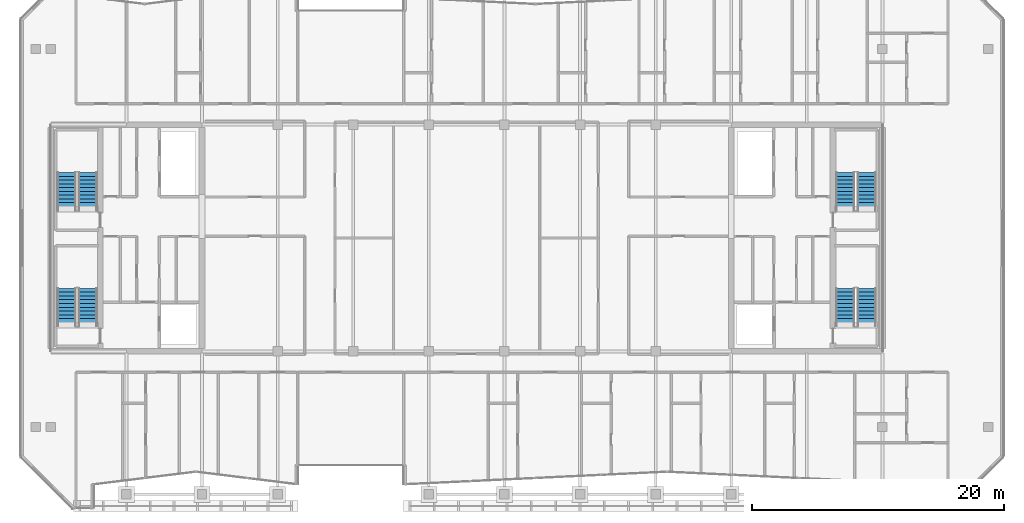
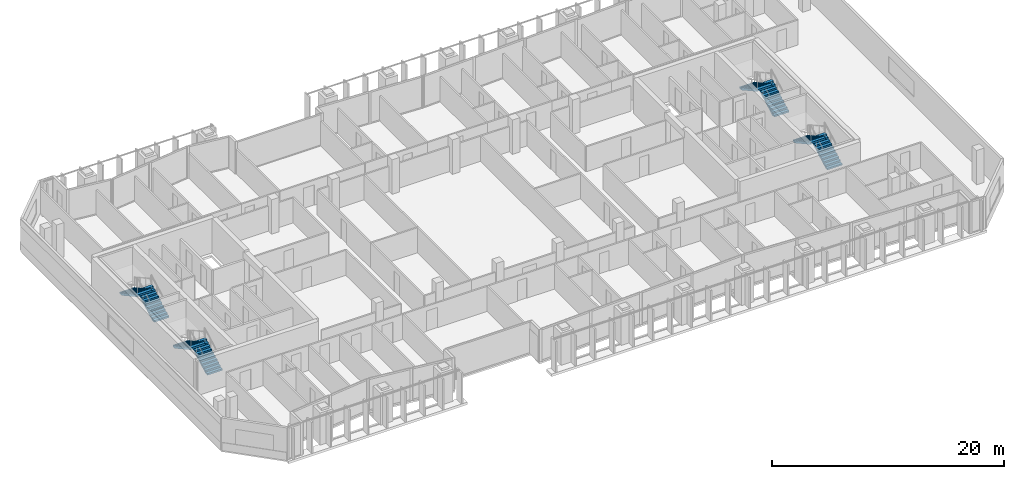
# One storey, part 27 of 32: 8 stair flights, 4 elements without a shape of their own.
"""IFC4 building model written with IfcOpenShell, lengths in metres."""

from ifc_helpers import new_model, si_unit, direction, frame, origin, place, context, subcontext, project, spatial, polyline, outline, extrude, material, type_object, element, aggregate, save


model = new_model("IFC4")

# Units and contexts
model_context = context("Model", 3, precision=1e-05, world=origin(), true_north=direction((0.0, 1.0)))
body_context = subcontext(model_context, "Body", "Model", "MODEL_VIEW")
ifc_project = project(units=[si_unit("LENGTHUNIT", "METRE"), si_unit("AREAUNIT", "SQUARE_METRE"), si_unit("VOLUMEUNIT", "CUBIC_METRE"), si_unit("PLANEANGLEUNIT", "RADIAN"), si_unit("MASSUNIT", "GRAM", prefix="KILO")], contexts=[model_context])

# Site, building, storey
site_placement = place(None, origin())
site = spatial("IfcSite", under=ifc_project, at=site_placement, CompositionType="ELEMENT")
building_placement = place(site_placement, origin())
building = spatial("IfcBuilding", under=site, at=building_placement, Name="Tanjung Sevakor Pilgrim Tower", CompositionType="ELEMENT")
storey_placement = place(building_placement, frame((0.0, 0.0, 211.860107421875)))
storey = spatial("IfcBuildingStorey", under=building, at=storey_placement, Name="L59", CompositionType="ELEMENT", Elevation=211.860107421875)

# Stair, stair flights
ifc_material_1 = material(Name="Concrete C40/50", Category="concrete")
stair_type = type_object("IfcStairType", Name="STAIR-ST-CR150", PredefinedType="HALF_TURN_STAIR", material=ifc_material_1)
stair_1_placement = place(storey_placement, origin())
stair_1 = element("IfcStair", 1, at=stair_1_placement, inside=storey, type_object=stair_type, Name="L59 West Core Exit Stair 1", PredefinedType="HALF_TURN_STAIR")
ifc_material_2 = material(Name="Concrete C40/50", Category="concrete")
stair_flight_type = type_object("IfcStairFlightType", Name="FLIGHT-ST-CR150", PredefinedType="STRAIGHT", material=ifc_material_2)
stair_flight_1_placement = place(storey_placement, frame((26.949951171875, 26.60009765625, 0.0), z_axis=(0.0, 0.0, 1.0), x_axis=(0.0, 1.0, 0.0)))
stair_flight_1 = element("IfcStairFlight", 2, at=stair_flight_1_placement, type_object=stair_flight_type, Name="TS-W1 flight 1", NumberOfRisers=11, NumberOfTreads=10, PredefinedType="STRAIGHT", RiserHeight=0.165, TreadLength=0.3, context=body_context, shape_type="SweptSolid", body=[
    extrude(outline(polyline([(0.0, 0.0), (0.0, 0.1650390625), (0.300048828125, 0.1650390625), (0.300048828125, 0.330078125), (0.60009765625, 0.330078125), (0.60009765625, 0.4951171875), (0.89990234375, 0.4951171875), (0.89990234375, 0.659912109375), (1.199951171875, 0.659912109375), (1.199951171875, 0.824951171875), (1.5, 0.824951171875), (1.5, 0.989990234375), (1.800048828125, 0.989990234375), (1.800048828125, 1.155029296875), (2.10009765625, 1.155029296875), (2.10009765625, 1.320068359375), (2.39990234375, 1.320068359375), (2.39990234375, 1.485107421875), (2.699951171875, 1.485107421875), (2.699951171875, 1.64990234375), (3.0, 1.64990234375), (3.0, 1.81494140625), (3.0, 1.467529296875), (0.331787109375, 0.0), (0.0, 0.0)])), frame((0.0, 0.75, 0.0), z_axis=(0.0, -1.0, 0.0), x_axis=(1.0, 0.0, 0.0)), (0.0, 0.0, 1.0), 1.5),
])
stair_flight_2_placement = place(storey_placement, frame((25.25, 29.60009765625, 1.81494140625), z_axis=(0.0, 0.0, 1.0), x_axis=(0.0, -1.0, 0.0)))
stair_flight_2 = element("IfcStairFlight", 3, at=stair_flight_2_placement, type_object=stair_flight_type, Name="TS-W1 flight 2", NumberOfRisers=11, NumberOfTreads=10, PredefinedType="STRAIGHT", RiserHeight=0.165, TreadLength=0.3, context=body_context, shape_type="SweptSolid", body=[
    extrude(outline(polyline([(0.0, 0.0), (0.0, 0.1650390625), (0.300048828125, 0.1650390625), (0.300048828125, 0.330078125), (0.60009765625, 0.330078125), (0.60009765625, 0.4951171875), (0.89990234375, 0.4951171875), (0.89990234375, 0.659912109375), (1.199951171875, 0.659912109375), (1.199951171875, 0.824951171875), (1.5, 0.824951171875), (1.5, 0.989990234375), (1.800048828125, 0.989990234375), (1.800048828125, 1.155029296875), (2.10009765625, 1.155029296875), (2.10009765625, 1.320068359375), (2.39990234375, 1.320068359375), (2.39990234375, 1.485107421875), (2.699951171875, 1.485107421875), (2.699951171875, 1.64990234375), (3.0, 1.64990234375), (3.0, 1.81494140625), (3.0, 1.467529296875), (0.331787109375, 0.0), (0.0, 0.0)])), frame((0.0, 0.75, 0.0), z_axis=(0.0, -1.0, 0.0), x_axis=(1.0, 0.0, 0.0)), (0.0, 0.0, 1.0), 1.5),
])
aggregate(stair_1, [stair_flight_1, stair_flight_2])

stair_2_placement = place(storey_placement, origin())
stair_2 = element("IfcStair", 4, at=stair_2_placement, inside=storey, type_object=stair_type, Name="L59 West Core Exit Stair 2", PredefinedType="HALF_TURN_STAIR")
stair_flight_3_placement = place(storey_placement, frame((26.949951171875, 35.800048828125, 0.0), z_axis=(0.0, 0.0, 1.0), x_axis=(0.0, 1.0, 0.0)))
stair_flight_3 = element("IfcStairFlight", 5, at=stair_flight_3_placement, type_object=stair_flight_type, Name="TS-W2 flight 1", NumberOfRisers=11, NumberOfTreads=10, PredefinedType="STRAIGHT", RiserHeight=0.165, TreadLength=0.3, context=body_context, shape_type="SweptSolid", body=[
    extrude(outline(polyline([(0.0, 0.0), (0.0, 0.1650390625), (0.300048828125, 0.1650390625), (0.300048828125, 0.330078125), (0.60009765625, 0.330078125), (0.60009765625, 0.4951171875), (0.89990234375, 0.4951171875), (0.89990234375, 0.659912109375), (1.199951171875, 0.659912109375), (1.199951171875, 0.824951171875), (1.5, 0.824951171875), (1.5, 0.989990234375), (1.800048828125, 0.989990234375), (1.800048828125, 1.155029296875), (2.10009765625, 1.155029296875), (2.10009765625, 1.320068359375), (2.39990234375, 1.320068359375), (2.39990234375, 1.485107421875), (2.699951171875, 1.485107421875), (2.699951171875, 1.64990234375), (3.0, 1.64990234375), (3.0, 1.81494140625), (3.0, 1.467529296875), (0.331787109375, 0.0), (0.0, 0.0)])), frame((0.0, 0.75, 0.0), z_axis=(0.0, -1.0, 0.0), x_axis=(1.0, 0.0, 0.0)), (0.0, 0.0, 1.0), 1.5),
])
stair_flight_4_placement = place(storey_placement, frame((25.25, 38.800048828125, 1.81494140625), z_axis=(0.0, 0.0, 1.0), x_axis=(0.0, -1.0, 0.0)))
stair_flight_4 = element("IfcStairFlight", 6, at=stair_flight_4_placement, type_object=stair_flight_type, Name="TS-W2 flight 2", NumberOfRisers=11, NumberOfTreads=10, PredefinedType="STRAIGHT", RiserHeight=0.165, TreadLength=0.3, context=body_context, shape_type="SweptSolid", body=[
    extrude(outline(polyline([(0.0, 0.0), (0.0, 0.1650390625), (0.300048828125, 0.1650390625), (0.300048828125, 0.330078125), (0.60009765625, 0.330078125), (0.60009765625, 0.4951171875), (0.89990234375, 0.4951171875), (0.89990234375, 0.659912109375), (1.199951171875, 0.659912109375), (1.199951171875, 0.824951171875), (1.5, 0.824951171875), (1.5, 0.989990234375), (1.800048828125, 0.989990234375), (1.800048828125, 1.155029296875), (2.10009765625, 1.155029296875), (2.10009765625, 1.320068359375), (2.39990234375, 1.320068359375), (2.39990234375, 1.485107421875), (2.699951171875, 1.485107421875), (2.699951171875, 1.64990234375), (3.0, 1.64990234375), (3.0, 1.81494140625), (3.0, 1.467529296875), (0.331787109375, 0.0), (0.0, 0.0)])), frame((0.0, 0.75, 0.0), z_axis=(0.0, -1.0, 0.0), x_axis=(1.0, 0.0, 0.0)), (0.0, 0.0, 1.0), 1.5),
])
aggregate(stair_2, [stair_flight_3, stair_flight_4])

stair_3_placement = place(storey_placement, origin())
stair_3 = element("IfcStair", 7, at=stair_3_placement, inside=storey, type_object=stair_type, Name="L59 East Core Exit Stair 1", PredefinedType="HALF_TURN_STAIR")
stair_flight_5_placement = place(storey_placement, frame((88.75, 26.60009765625, 0.0), z_axis=(0.0, 0.0, 1.0), x_axis=(0.0, 1.0, 0.0)))
stair_flight_5 = element("IfcStairFlight", 8, at=stair_flight_5_placement, type_object=stair_flight_type, Name="TS-E1 flight 1", NumberOfRisers=11, NumberOfTreads=10, PredefinedType="STRAIGHT", RiserHeight=0.165, TreadLength=0.3, context=body_context, shape_type="SweptSolid", body=[
    extrude(outline(polyline([(0.0, 0.0), (0.0, 0.1650390625), (0.300048828125, 0.1650390625), (0.300048828125, 0.330078125), (0.60009765625, 0.330078125), (0.60009765625, 0.4951171875), (0.89990234375, 0.4951171875), (0.89990234375, 0.659912109375), (1.199951171875, 0.659912109375), (1.199951171875, 0.824951171875), (1.5, 0.824951171875), (1.5, 0.989990234375), (1.800048828125, 0.989990234375), (1.800048828125, 1.155029296875), (2.10009765625, 1.155029296875), (2.10009765625, 1.320068359375), (2.39990234375, 1.320068359375), (2.39990234375, 1.485107421875), (2.699951171875, 1.485107421875), (2.699951171875, 1.64990234375), (3.0, 1.64990234375), (3.0, 1.81494140625), (3.0, 1.467529296875), (0.331787109375, 0.0), (0.0, 0.0)])), frame((0.0, 0.75, 0.0), z_axis=(0.0, -1.0, 0.0), x_axis=(1.0, 0.0, 0.0)), (0.0, 0.0, 1.0), 1.5),
])
stair_flight_6_placement = place(storey_placement, frame((87.050048828125, 29.60009765625, 1.81494140625), z_axis=(0.0, 0.0, 1.0), x_axis=(0.0, -1.0, 0.0)))
stair_flight_6 = element("IfcStairFlight", 9, at=stair_flight_6_placement, type_object=stair_flight_type, Name="TS-E1 flight 2", NumberOfRisers=11, NumberOfTreads=10, PredefinedType="STRAIGHT", RiserHeight=0.165, TreadLength=0.3, context=body_context, shape_type="SweptSolid", body=[
    extrude(outline(polyline([(0.0, 0.0), (0.0, 0.1650390625), (0.300048828125, 0.1650390625), (0.300048828125, 0.330078125), (0.60009765625, 0.330078125), (0.60009765625, 0.4951171875), (0.89990234375, 0.4951171875), (0.89990234375, 0.659912109375), (1.199951171875, 0.659912109375), (1.199951171875, 0.824951171875), (1.5, 0.824951171875), (1.5, 0.989990234375), (1.800048828125, 0.989990234375), (1.800048828125, 1.155029296875), (2.10009765625, 1.155029296875), (2.10009765625, 1.320068359375), (2.39990234375, 1.320068359375), (2.39990234375, 1.485107421875), (2.699951171875, 1.485107421875), (2.699951171875, 1.64990234375), (3.0, 1.64990234375), (3.0, 1.81494140625), (3.0, 1.467529296875), (0.331787109375, 0.0), (0.0, 0.0)])), frame((0.0, 0.75, 0.0), z_axis=(0.0, -1.0, 0.0), x_axis=(1.0, 0.0, 0.0)), (0.0, 0.0, 1.0), 1.5),
])
aggregate(stair_3, [stair_flight_5, stair_flight_6])

stair_4_placement = place(storey_placement, origin())
stair_4 = element("IfcStair", 10, at=stair_4_placement, inside=storey, type_object=stair_type, Name="L59 East Core Exit Stair 2", PredefinedType="HALF_TURN_STAIR")
stair_flight_7_placement = place(storey_placement, frame((88.75, 35.800048828125, 0.0), z_axis=(0.0, 0.0, 1.0), x_axis=(0.0, 1.0, 0.0)))
stair_flight_7 = element("IfcStairFlight", 11, at=stair_flight_7_placement, type_object=stair_flight_type, Name="TS-E2 flight 1", NumberOfRisers=11, NumberOfTreads=10, PredefinedType="STRAIGHT", RiserHeight=0.165, TreadLength=0.3, context=body_context, shape_type="SweptSolid", body=[
    extrude(outline(polyline([(0.0, 0.0), (0.0, 0.1650390625), (0.300048828125, 0.1650390625), (0.300048828125, 0.330078125), (0.60009765625, 0.330078125), (0.60009765625, 0.4951171875), (0.89990234375, 0.4951171875), (0.89990234375, 0.659912109375), (1.199951171875, 0.659912109375), (1.199951171875, 0.824951171875), (1.5, 0.824951171875), (1.5, 0.989990234375), (1.800048828125, 0.989990234375), (1.800048828125, 1.155029296875), (2.10009765625, 1.155029296875), (2.10009765625, 1.320068359375), (2.39990234375, 1.320068359375), (2.39990234375, 1.485107421875), (2.699951171875, 1.485107421875), (2.699951171875, 1.64990234375), (3.0, 1.64990234375), (3.0, 1.81494140625), (3.0, 1.467529296875), (0.331787109375, 0.0), (0.0, 0.0)])), frame((0.0, 0.75, 0.0), z_axis=(0.0, -1.0, 0.0), x_axis=(1.0, 0.0, 0.0)), (0.0, 0.0, 1.0), 1.5),
])
stair_flight_8_placement = place(storey_placement, frame((87.050048828125, 38.800048828125, 1.81494140625), z_axis=(0.0, 0.0, 1.0), x_axis=(0.0, -1.0, 0.0)))
stair_flight_8 = element("IfcStairFlight", 12, at=stair_flight_8_placement, type_object=stair_flight_type, Name="TS-E2 flight 2", NumberOfRisers=11, NumberOfTreads=10, PredefinedType="STRAIGHT", RiserHeight=0.165, TreadLength=0.3, context=body_context, shape_type="SweptSolid", body=[
    extrude(outline(polyline([(0.0, 0.0), (0.0, 0.1650390625), (0.300048828125, 0.1650390625), (0.300048828125, 0.330078125), (0.60009765625, 0.330078125), (0.60009765625, 0.4951171875), (0.89990234375, 0.4951171875), (0.89990234375, 0.659912109375), (1.199951171875, 0.659912109375), (1.199951171875, 0.824951171875), (1.5, 0.824951171875), (1.5, 0.989990234375), (1.800048828125, 0.989990234375), (1.800048828125, 1.155029296875), (2.10009765625, 1.155029296875), (2.10009765625, 1.320068359375), (2.39990234375, 1.320068359375), (2.39990234375, 1.485107421875), (2.699951171875, 1.485107421875), (2.699951171875, 1.64990234375), (3.0, 1.64990234375), (3.0, 1.81494140625), (3.0, 1.467529296875), (0.331787109375, 0.0), (0.0, 0.0)])), frame((0.0, 0.75, 0.0), z_axis=(0.0, -1.0, 0.0), x_axis=(1.0, 0.0, 0.0)), (0.0, 0.0, 1.0), 1.5),
])
aggregate(stair_4, [stair_flight_7, stair_flight_8])

save(model, "model.ifc")
